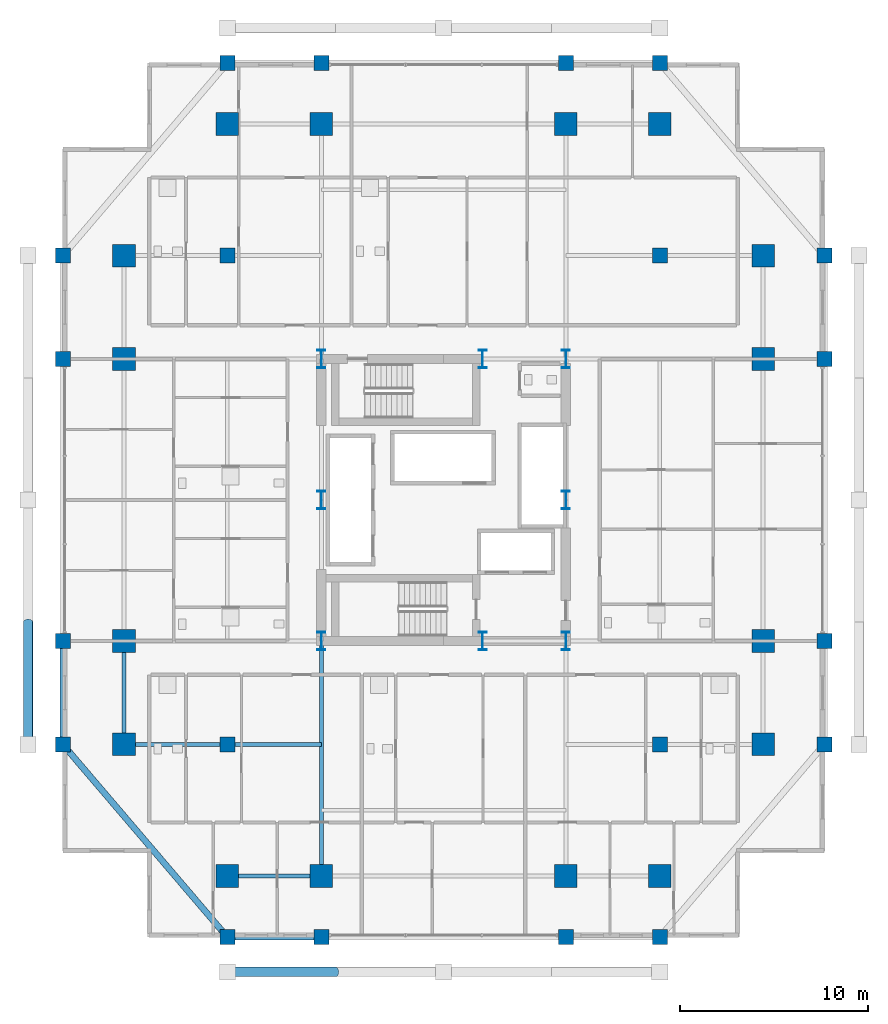
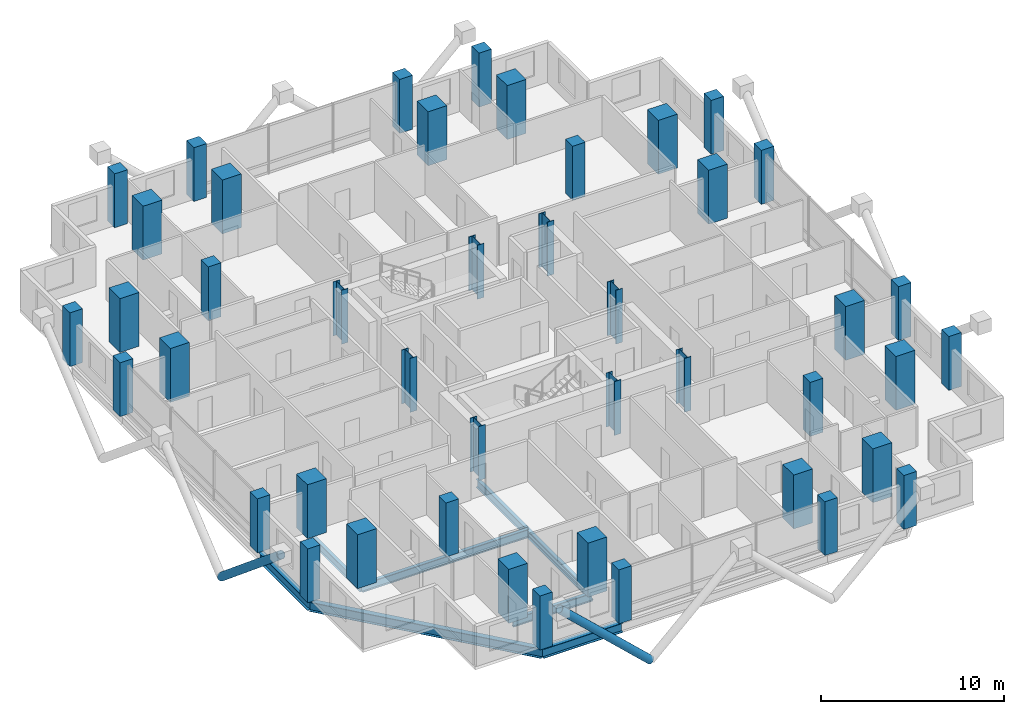
# One storey, part 1 of 23: 44 columns, 8 beams, 2 members.
"""IFC4 building model written with IfcOpenShell, lengths in metres."""

from ifc_helpers import new_model, si_unit, direction, frame, origin, origin_2d, place, context, subcontext, project, spatial, rectangle, hollow_circle, i_section, extrude, material, material_profile, profile_set, type_object, element, save


model = new_model("IFC4")

# Units and contexts
model_context = context("Model", 3, precision=1e-05, world=origin(), true_north=direction((0.0, 1.0)))
body_context = subcontext(model_context, "Body", "Model", "MODEL_VIEW")
ifc_project = project(units=[si_unit("LENGTHUNIT", "METRE"), si_unit("AREAUNIT", "SQUARE_METRE"), si_unit("VOLUMEUNIT", "CUBIC_METRE"), si_unit("PLANEANGLEUNIT", "RADIAN"), si_unit("MASSUNIT", "GRAM", prefix="KILO")], contexts=[model_context])

# Site, building, storey
site_placement = place(None, origin())
site = spatial("IfcSite", under=ifc_project, at=site_placement, CompositionType="ELEMENT")
building_placement = place(site_placement, origin())
building = spatial("IfcBuilding", under=site, at=building_placement, Name="Barlavira Tower and Art Museum", CompositionType="ELEMENT")
storey_placement = place(building_placement, frame((0.0, 0.0, 117.0)))
storey = spatial("IfcBuildingStorey", under=building, at=storey_placement, Name="L29", CompositionType="ELEMENT", Elevation=117.0)

# Columns
ifc_material_1 = material(Name="Steel S355", Category="steel")
ifc_material_profile_1 = material_profile(ifc_material_1, i_section(OverallWidth=0.419921875, OverallDepth=0.9599609375, WebThickness=0.02197265625, FlangeThickness=0.033935546875, at=origin_2d()), Name="W920x387.0")
ifc_profile_set_1 = profile_set([ifc_material_profile_1], Name="Steel S355")
column_type_1 = type_object("IfcColumnType", Name="Core Composite Column W920x387 Steel S355", PredefinedType="COLUMN", material=ifc_profile_set_1)
for number, where, z_axis, x_axis, name in (
    (1, (-6.5, -7.5, 0.0), (0.0, 0.0, 1.0), (1.0, 0.0, 0.0), "L29 Column CC-L29-C1"),
    (2, (2.080078125, -7.5, 0.0), (0.0, 0.0, 1.0), (1.0, 0.0, 0.0), "L29 Column CC-L29-C2"),
    (3, (6.5, -7.5, 0.0), (0.0, 0.0, 1.0), (1.0, 0.0, 0.0), "L29 Column CC-L29-C3"),
    (4, (-6.5, 0.0, 0.0), (0.0, 0.0, 1.0), (1.0, 0.0, 0.0), "L29 Column CC-L29-C4"),
    (5, (6.5, 0.0, 0.0), (0.0, 0.0, 1.0), (1.0, 0.0, 0.0), "L29 Column CC-L29-C5"),
    (6, (-6.5, 7.5, 0.0), (0.0, 0.0, 1.0), (1.0, 0.0, 0.0), "L29 Column CC-L29-C6"),
    (7, (2.080078125, 7.5, 0.0), (0.0, 0.0, 1.0), (1.0, 0.0, 0.0), "L29 Column CC-L29-C7"),
    (8, (6.5, 7.5, 0.0), (0.0, 0.0, 1.0), (1.0, 0.0, 0.0), "L29 Column CC-L29-C8"),
):
    element("IfcColumn", number, at=place(storey_placement, frame(where, z_axis=z_axis, x_axis=x_axis)), inside=storey, type_object=column_type_1, Name=name, PredefinedType="COLUMN", context=body_context, shape_type="SweptSolid", body=[
        extrude(i_section(OverallWidth=0.419921875, OverallDepth=0.9599609375, WebThickness=0.02197265625, FlangeThickness=0.033935546875, at=origin_2d()), origin(), (0.0, 0.0, 1.0), 3.60009765625),
    ])
ifc_material_2 = material(Name="Concrete C60", Category="concrete")
ifc_material_profile_2 = material_profile(ifc_material_2, rectangle(XDim=1.199951171875, YDim=1.199951171875, at=origin_2d()), Name="RC-COL 1200x1200")
ifc_profile_set_2 = profile_set([ifc_material_profile_2], Name="Concrete C60")
column_type_2 = type_object("IfcColumnType", Name="Perimeter Mega Column 1200x1200 Concrete C60", PredefinedType="USERDEFINED", material=ifc_profile_set_2)
for number, where, z_axis, x_axis, name in (
    (9, (-11.5, -20.0, 0.0), (0.0, 0.0, 1.0), (1.0, 0.0, 0.0), "L29 Column MC-L29-M01"),
    (10, (-6.5, -20.0, 0.0), (0.0, 0.0, 1.0), (1.0, 0.0, 0.0), "L29 Column MC-L29-M02"),
    (11, (6.5, -20.0, 0.0), (0.0, 0.0, 1.0), (1.0, 0.0, 0.0), "L29 Column MC-L29-M03"),
    (12, (11.5, -20.0, 0.0), (0.0, 0.0, 1.0), (1.0, 0.0, 0.0), "L29 Column MC-L29-M04"),
    (13, (17.0, -13.0, 0.0), (0.0, 0.0, 1.0), (1.0, 0.0, 0.0), "L29 Column MC-L29-M05"),
    (14, (17.0, -7.5, 0.0), (0.0, 0.0, 1.0), (1.0, 0.0, 0.0), "L29 Column MC-L29-M06"),
    (15, (17.0, 7.5, 0.0), (0.0, 0.0, 1.0), (1.0, 0.0, 0.0), "L29 Column MC-L29-M07"),
    (16, (17.0, 13.0, 0.0), (0.0, 0.0, 1.0), (1.0, 0.0, 0.0), "L29 Column MC-L29-M08"),
    (17, (11.5, 20.0, 0.0), (0.0, 0.0, 1.0), (1.0, 0.0, 0.0), "L29 Column MC-L29-M09"),
    (18, (6.5, 20.0, 0.0), (0.0, 0.0, 1.0), (1.0, 0.0, 0.0), "L29 Column MC-L29-M10"),
    (19, (-6.5, 20.0, 0.0), (0.0, 0.0, 1.0), (1.0, 0.0, 0.0), "L29 Column MC-L29-M11"),
    (20, (-11.5, 20.0, 0.0), (0.0, 0.0, 1.0), (1.0, 0.0, 0.0), "L29 Column MC-L29-M12"),
    (21, (-17.0, 13.0, 0.0), (0.0, 0.0, 1.0), (1.0, 0.0, 0.0), "L29 Column MC-L29-M13"),
    (22, (-17.0, 7.5, 0.0), (0.0, 0.0, 1.0), (1.0, 0.0, 0.0), "L29 Column MC-L29-M14"),
    (23, (-17.0, -7.5, 0.0), (0.0, 0.0, 1.0), (1.0, 0.0, 0.0), "L29 Column MC-L29-M15"),
    (24, (-17.0, -13.0, 0.0), (0.0, 0.0, 1.0), (1.0, 0.0, 0.0), "L29 Column MC-L29-M16"),
):
    element("IfcColumn", number, at=place(storey_placement, frame(where, z_axis=z_axis, x_axis=x_axis)), inside=storey, type_object=column_type_2, Name=name, ObjectType="MEGA COLUMN", PredefinedType="USERDEFINED", context=body_context, shape_type="SweptSolid", body=[
        extrude(rectangle(XDim=1.199951171875, YDim=1.199951171875, at=origin_2d()), origin(), (0.0, 0.0, 1.0), 3.60009765625),
    ])
ifc_material_3 = material(Name="Concrete C50", Category="concrete")
ifc_material_profile_3 = material_profile(ifc_material_3, rectangle(XDim=0.800048828125, YDim=0.800048828125, at=origin_2d()), Name="RC-COL 800x800")
ifc_profile_set_3 = profile_set([ifc_material_profile_3], Name="Concrete C50")
column_type_3 = type_object("IfcColumnType", Name="Podium Frame Column 800x800 Concrete C50", PredefinedType="COLUMN", material=ifc_profile_set_3)
for number, where, z_axis, x_axis, name in (
    (25, (-11.5, -13.0, 0.0), (0.0, 0.0, 1.0), (1.0, 0.0, 0.0), "L29 Column CI-L29-I1"),
    (26, (11.5, -13.0, 0.0), (0.0, 0.0, 1.0), (1.0, 0.0, 0.0), "L29 Column CI-L29-I2"),
    (27, (-11.5, 13.0, 0.0), (0.0, 0.0, 1.0), (1.0, 0.0, 0.0), "L29 Column CI-L29-I3"),
    (28, (11.5, 13.0, 0.0), (0.0, 0.0, 1.0), (1.0, 0.0, 0.0), "L29 Column CI-L29-I4"),
    (29, (-11.5, -23.25, 0.0), (0.0, 0.0, 1.0), (1.0, 0.0, 0.0), "L29 Column CZ2-L29-N01"),
    (30, (-6.5, -23.25, 0.0), (0.0, 0.0, 1.0), (1.0, 0.0, 0.0), "L29 Column CZ2-L29-N02"),
    (31, (6.5, -23.25, 0.0), (0.0, 0.0, 1.0), (1.0, 0.0, 0.0), "L29 Column CZ2-L29-N02B"),
    (32, (11.5, -23.25, 0.0), (0.0, 0.0, 1.0), (1.0, 0.0, 0.0), "L29 Column CZ2-L29-N03"),
    (33, (-20.25, -13.0, 0.0), (0.0, 0.0, 1.0), (1.0, 0.0, 0.0), "L29 Column CZ2-L29-N04"),
    (34, (-20.25, -7.5, 0.0), (0.0, 0.0, 1.0), (1.0, 0.0, 0.0), "L29 Column CZ2-L29-N05"),
    (35, (-20.25, 7.5, 0.0), (0.0, 0.0, 1.0), (1.0, 0.0, 0.0), "L29 Column CZ2-L29-N05B"),
    (36, (-20.25, 13.0, 0.0), (0.0, 0.0, 1.0), (1.0, 0.0, 0.0), "L29 Column CZ2-L29-N06"),
    (37, (-11.5, 23.25, 0.0), (0.0, 0.0, 1.0), (1.0, 0.0, 0.0), "L29 Column CZ2-L29-N07"),
    (38, (-6.5, 23.25, 0.0), (0.0, 0.0, 1.0), (1.0, 0.0, 0.0), "L29 Column CZ2-L29-N08"),
    (39, (6.5, 23.25, 0.0), (0.0, 0.0, 1.0), (1.0, 0.0, 0.0), "L29 Column CZ2-L29-N08B"),
    (40, (11.5, 23.25, 0.0), (0.0, 0.0, 1.0), (1.0, 0.0, 0.0), "L29 Column CZ2-L29-N09"),
    (41, (20.25, -13.0, 0.0), (0.0, 0.0, 1.0), (1.0, 0.0, 0.0), "L29 Column CZ2-L29-N10"),
    (42, (20.25, -7.5, 0.0), (0.0, 0.0, 1.0), (1.0, 0.0, 0.0), "L29 Column CZ2-L29-N11"),
    (43, (20.25, 7.5, 0.0), (0.0, 0.0, 1.0), (1.0, 0.0, 0.0), "L29 Column CZ2-L29-N11B"),
    (44, (20.25, 13.0, 0.0), (0.0, 0.0, 1.0), (1.0, 0.0, 0.0), "L29 Column CZ2-L29-N12"),
):
    element("IfcColumn", number, at=place(storey_placement, frame(where, z_axis=z_axis, x_axis=x_axis)), inside=storey, type_object=column_type_3, Name=name, PredefinedType="COLUMN", context=body_context, shape_type="SweptSolid", body=[
        extrude(rectangle(XDim=0.800048828125, YDim=0.800048828125, at=origin_2d()), origin(), (0.0, 0.0, 1.0), 3.60009765625),
    ])

# Members
ifc_material_profile_4 = material_profile(ifc_material_1, hollow_circle(Radius=0.25390625, WallThickness=0.022216796875, at=origin_2d()), Name="CHS 508.0x22.2")
ifc_profile_set_4 = profile_set([ifc_material_profile_4], Name="Steel S355")
member_type = type_object("IfcMemberType", Name="Pale-Metal Exoskeleton Diagrid Tube CHS 508x22 Steel S355", PredefinedType="BRACE", material=ifc_profile_set_4)
member_1_placement = place(storey_placement, frame((-5.75, -25.10009765625, -1.919921875), z_axis=(-0.728950095515, 0.0, 0.684566839869), x_axis=(0.0, -1.0, 0.0)))
element("IfcMember", 45, at=member_1_placement, inside=storey, type_object=member_type, Name="L29 Exoskeleton Diagrid Tube S", PredefinedType="BRACE", context=body_context, shape_type="SweptSolid", body=[
    extrude(hollow_circle(Radius=0.25390625, WallThickness=0.022216796875, at=origin_2d()), origin(), (0.0, 0.0, 1.0), 7.887939453125),
])
member_2_placement = place(storey_placement, frame((-22.10009765625, -6.5, -1.919921875), z_axis=(0.0, -0.769196053329, 0.639012857104), x_axis=(1.0, 0.0, 0.0)))
element("IfcMember", 46, at=member_2_placement, inside=storey, type_object=member_type, Name="L29 Exoskeleton Diagrid Tube W", PredefinedType="BRACE", context=body_context, shape_type="SweptSolid", body=[
    extrude(hollow_circle(Radius=0.25390625, WallThickness=0.022216796875, at=origin_2d()), origin(), (0.0, 0.0, 1.0), 8.450439453125),
])

# Beams
ifc_material_profile_5 = material_profile(ifc_material_1, i_section(OverallWidth=0.327880859375, OverallDepth=0.62890625, WebThickness=0.013916015625, FlangeThickness=0.021484375, at=origin_2d()), Name="W610x174.0")
ifc_profile_set_5 = profile_set([ifc_material_profile_5], Name="Steel S355")
beam_type_1 = type_object("IfcBeamType", Name="Perimeter Spandrel Edge Beam W610x174 Steel S355", PredefinedType="SPANDREL", material=ifc_profile_set_5)
beam_1_placement = place(storey_placement, frame((-11.5, -23.25, -0.534423828125), z_axis=(1.0, 0.0, 0.0), x_axis=(0.0, 1.0, 0.0)))
element("IfcBeam", 47, at=beam_1_placement, inside=storey, type_object=beam_type_1, Name="L29 Spandrel 1", PredefinedType="SPANDREL", context=body_context, shape_type="SweptSolid", body=[
    extrude(i_section(OverallWidth=0.327880859375, OverallDepth=0.62890625, WebThickness=0.013916015625, FlangeThickness=0.021484375, at=origin_2d()), origin(), (0.0, 0.0, 1.0), 5.0),
])
beam_2_placement = place(storey_placement, frame((-20.25, -13.0, -0.534423828125), z_axis=(0.0, 1.0, 0.0), x_axis=(-1.0, 0.0, 0.0)))
element("IfcBeam", 48, at=beam_2_placement, inside=storey, type_object=beam_type_1, Name="L29 Spandrel 15", PredefinedType="SPANDREL", context=body_context, shape_type="SweptSolid", body=[
    extrude(i_section(OverallWidth=0.327880859375, OverallDepth=0.62890625, WebThickness=0.013916015625, FlangeThickness=0.021484375, at=origin_2d()), origin(), (0.0, 0.0, 1.0), 5.5),
])
beam_3_placement = place(storey_placement, frame((-20.25, -13.0, -0.534423828125), z_axis=(0.649262379928, -0.760564502202, 0.0), x_axis=(0.760564502202, 0.649262379928, 0.0)))
element("IfcBeam", 49, at=beam_3_placement, inside=storey, type_object=beam_type_1, Name="L29 Spandrel 16", PredefinedType="SPANDREL", context=body_context, shape_type="SweptSolid", body=[
    extrude(i_section(OverallWidth=0.327880859375, OverallDepth=0.62890625, WebThickness=0.013916015625, FlangeThickness=0.021484375, at=origin_2d()), origin(), (0.0, 0.0, 1.0), 13.476806640625),
])
ifc_material_profile_6 = material_profile(ifc_material_1, i_section(OverallWidth=0.214111328125, OverallDepth=0.549072265625, WebThickness=0.0146484375, FlangeThickness=0.023681640625, at=origin_2d()), Name="W530x138.0")
ifc_profile_set_6 = profile_set([ifc_material_profile_6], Name="Steel S355")
beam_type_2 = type_object("IfcBeamType", Name="Zone 1 Primary Floor Girder W530x138 Steel S355", PredefinedType="BEAM", material=ifc_profile_set_6)
beam_4_placement = place(storey_placement, frame((-11.5, -20.0, -0.494384765625), z_axis=(1.0, 0.0, 0.0), x_axis=(0.0, 1.0, 0.0)))
element("IfcBeam", 50, at=beam_4_placement, inside=storey, type_object=beam_type_2, Name="L29 Girder M-S1", PredefinedType="BEAM", context=body_context, shape_type="SweptSolid", body=[
    extrude(i_section(OverallWidth=0.214111328125, OverallDepth=0.549072265625, WebThickness=0.0146484375, FlangeThickness=0.023681640625, at=origin_2d()), origin(), (0.0, 0.0, 1.0), 5.0),
])
beam_5_placement = place(storey_placement, frame((-17.0, -13.0, -0.494384765625), z_axis=(0.0, 1.0, 0.0), x_axis=(-1.0, 0.0, 0.0)))
element("IfcBeam", 51, at=beam_5_placement, inside=storey, type_object=beam_type_2, Name="L29 Girder M-W1", PredefinedType="BEAM", context=body_context, shape_type="SweptSolid", body=[
    extrude(i_section(OverallWidth=0.214111328125, OverallDepth=0.549072265625, WebThickness=0.0146484375, FlangeThickness=0.023681640625, at=origin_2d()), origin(), (0.0, 0.0, 1.0), 5.5),
])
beam_6_placement = place(storey_placement, frame((-6.5, -20.0, -0.494384765625), z_axis=(0.0, 1.0, 0.0), x_axis=(-1.0, 0.0, 0.0)))
element("IfcBeam", 52, at=beam_6_placement, inside=storey, type_object=beam_type_2, Name="L29 Girder R-S1", PredefinedType="BEAM", context=body_context, shape_type="SweptSolid", body=[
    extrude(i_section(OverallWidth=0.214111328125, OverallDepth=0.549072265625, WebThickness=0.0146484375, FlangeThickness=0.023681640625, at=origin_2d()), origin(), (0.0, 0.0, 1.0), 12.5),
])
beam_7_placement = place(storey_placement, frame((-17.0, -13.0, -0.494384765625), z_axis=(1.0, 0.0, 0.0), x_axis=(0.0, 1.0, 0.0)))
element("IfcBeam", 53, at=beam_7_placement, inside=storey, type_object=beam_type_2, Name="L29 Girder I-S1", PredefinedType="BEAM", context=body_context, shape_type="SweptSolid", body=[
    extrude(i_section(OverallWidth=0.214111328125, OverallDepth=0.549072265625, WebThickness=0.0146484375, FlangeThickness=0.023681640625, at=origin_2d()), origin(), (0.0, 0.0, 1.0), 5.5),
])
beam_8_placement = place(storey_placement, frame((-11.5, -13.0, -0.494384765625), z_axis=(1.0, 0.0, 0.0), x_axis=(0.0, 1.0, 0.0)))
element("IfcBeam", 54, at=beam_8_placement, inside=storey, type_object=beam_type_2, Name="L29 Girder I-S2", PredefinedType="BEAM", context=body_context, shape_type="SweptSolid", body=[
    extrude(i_section(OverallWidth=0.214111328125, OverallDepth=0.549072265625, WebThickness=0.0146484375, FlangeThickness=0.023681640625, at=origin_2d()), origin(), (0.0, 0.0, 1.0), 5.0),
])

save(model, "model.ifc")
